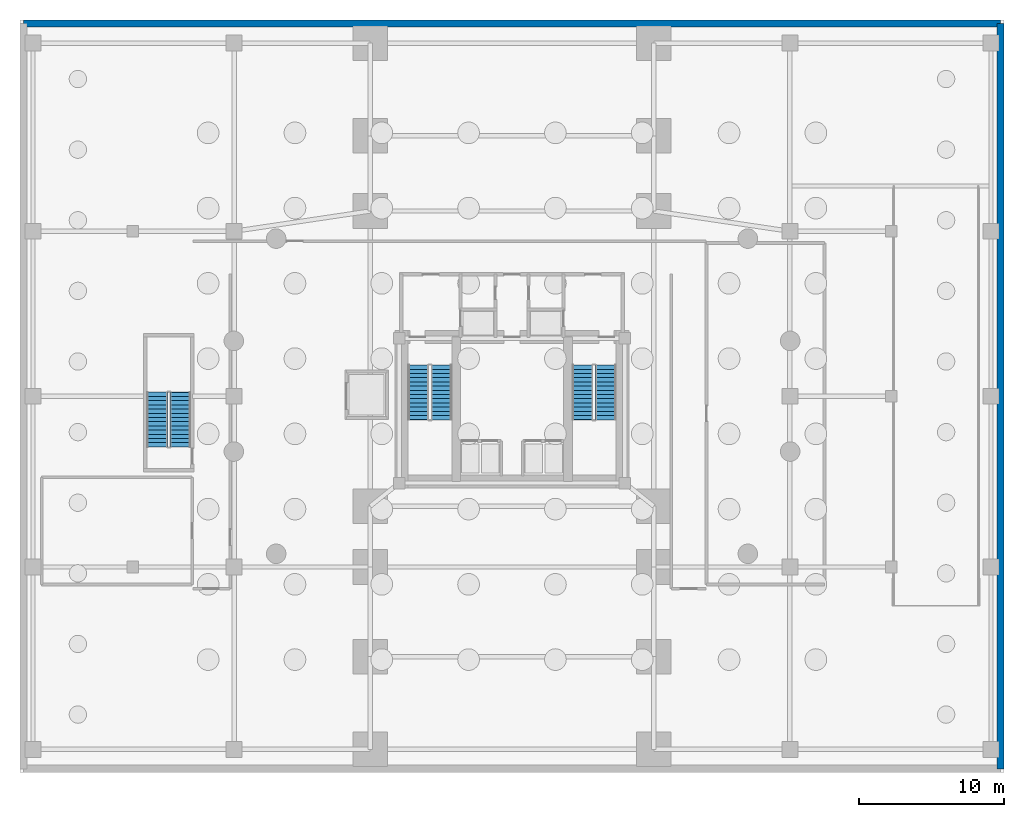
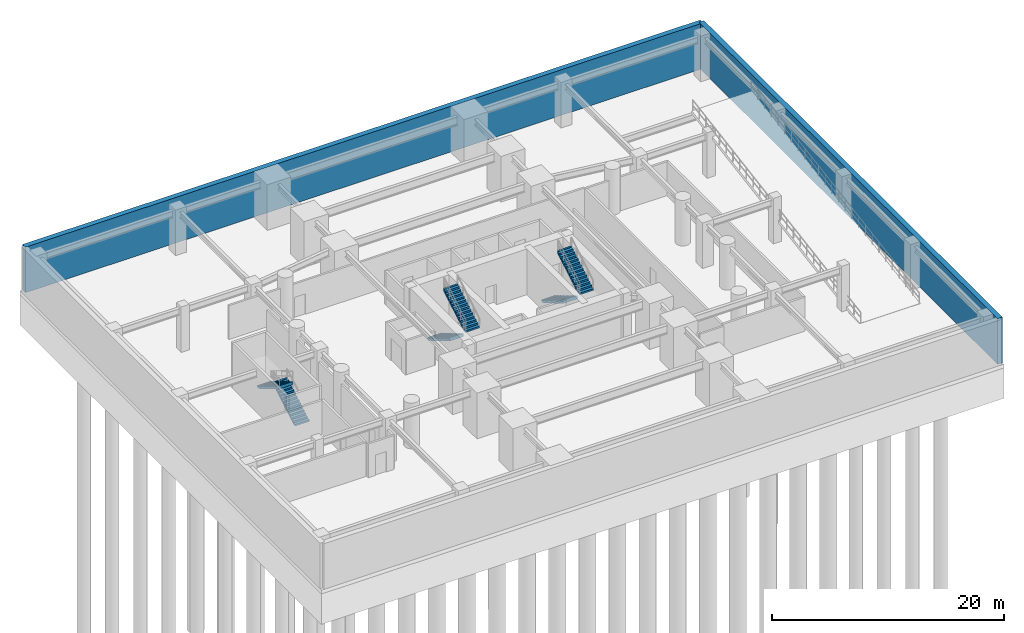
# One storey, part 5 of 8: 6 stair flights, 2 walls, 3 elements without a shape of their own.
"""IFC4 building model written with IfcOpenShell, lengths in metres."""

from ifc_helpers import new_model, si_unit, direction, frame, frame_2d, origin, place, context, subcontext, project, spatial, polyline, rectangle, outline, extrude, material, layer, layer_set, type_object, element, aggregate, save


model = new_model("IFC4")

# Units and contexts
model_context = context("Model", 3, precision=1e-05, world=origin(), true_north=direction((0.0, 1.0)))
body_context = subcontext(model_context, "Body", "Model", "MODEL_VIEW")
ifc_project = project(units=[si_unit("LENGTHUNIT", "METRE"), si_unit("AREAUNIT", "SQUARE_METRE"), si_unit("VOLUMEUNIT", "CUBIC_METRE"), si_unit("PLANEANGLEUNIT", "RADIAN"), si_unit("MASSUNIT", "GRAM", prefix="KILO"), si_unit("THERMODYNAMICTEMPERATUREUNIT", "KELVIN"), si_unit("POWERUNIT", "WATT")], contexts=[model_context])

# Site, building, storey
site_placement = place(None, origin())
site = spatial("IfcSite", under=ifc_project, at=site_placement, CompositionType="ELEMENT")
building_placement = place(site_placement, origin())
building = spatial("IfcBuilding", under=site, at=building_placement, Name="Ocrelia Relay Tower", CompositionType="ELEMENT")
storey_placement = place(building_placement, frame((0.0, 0.0, -9.60009765625)))
storey = spatial("IfcBuildingStorey", under=building, at=storey_placement, Name="B2", CompositionType="ELEMENT", Elevation=-9.60009765625)

# Walls
ifc_material = material(Name="Concrete C50/60", Category="concrete")
ifc_layer = layer(ifc_material, 0.5, Name="Concrete C50/60")
ifc_layer_set = layer_set([ifc_layer], Name="Concrete C50/60")
wall_type = type_object("IfcWallType", Name="W-RET-500", PredefinedType="SOLIDWALL", material=ifc_layer_set)
wall_1_placement = place(storey_placement, frame((67.75, 0.25, 0.0), z_axis=(0.0, 0.0, 1.0), x_axis=(0.0, 1.0, 0.0)))
element("IfcWall", 1, at=wall_1_placement, inside=storey, type_object=wall_type, Name="B2 Perimeter Retaining Wall E", PredefinedType="SOLIDWALL", context=body_context, shape_type="SweptSolid", body=[
    extrude(rectangle(XDim=51.5, YDim=0.5, at=frame_2d((25.75, 0.0))), origin(), (0.0, 0.0, 1.0), 4.800048828125),
])
wall_2_placement = place(storey_placement, frame((67.75, 51.75, 0.0), z_axis=(0.0, 0.0, 1.0), x_axis=(-1.0, 0.0, 0.0)))
element("IfcWall", 2, at=wall_2_placement, inside=storey, type_object=wall_type, Name="B2 Perimeter Retaining Wall N", PredefinedType="SOLIDWALL", context=body_context, shape_type="SweptSolid", body=[
    extrude(rectangle(XDim=67.5, YDim=0.5, at=frame_2d((33.75, 0.0))), origin(), (0.0, 0.0, 1.0), 4.800048828125),
])

# Stair, stair flights
stair_type = type_object("IfcStairType", Name="ST-DL-1420-R171", PredefinedType="HALF_TURN_STAIR", material=ifc_material)
stair_1_placement = place(storey_placement, origin())
stair_1 = element("IfcStair", 3, at=stair_1_placement, inside=storey, type_object=stair_type, Name="B2 West Core Exit Stair ST1", PredefinedType="HALF_TURN_STAIR")
stair_flight_type = type_object("IfcStairFlightType", Name="STF-DL-1420-R171", PredefinedType="STRAIGHT", material=ifc_material)
stair_flight_1_placement = place(storey_placement, frame((27.52001953125, 28.14990234375, 0.0), z_axis=(0.0, 0.0, 1.0), x_axis=(0.0, -1.0, 0.0)))
stair_flight_1 = element("IfcStairFlight", 4, at=stair_flight_1_placement, type_object=stair_flight_type, Name="ST1 flight 1", NumberOfRisers=14, NumberOfTreads=13, PredefinedType="STRAIGHT", RiserHeight=0.171428571, TreadLength=0.29, context=body_context, shape_type="SweptSolid", body=[
    extrude(outline(polyline([(-0.008056640625, 0.0), (-0.008056640625, 0.17138671875), (0.0, 0.17138671875), (0.2900390625, 0.17138671875), (0.2900390625, 0.3427734375), (0.580078125, 0.3427734375), (0.580078125, 0.514404296875), (0.8701171875, 0.514404296875), (0.8701171875, 0.685791015625), (1.159912109375, 0.685791015625), (1.159912109375, 0.857177734375), (1.449951171875, 0.857177734375), (1.449951171875, 1.028564453125), (1.739990234375, 1.028564453125), (1.739990234375, 1.199951171875), (2.030029296875, 1.199951171875), (2.030029296875, 1.371337890625), (2.320068359375, 1.371337890625), (2.320068359375, 1.54296875), (2.610107421875, 1.54296875), (2.610107421875, 1.71435546875), (2.89990234375, 1.71435546875), (2.89990234375, 1.8857421875), (3.18994140625, 1.8857421875), (3.18994140625, 2.05712890625), (3.47998046875, 2.05712890625), (3.47998046875, 2.228515625), (3.77001953125, 2.228515625), (3.77001953125, 2.39990234375), (3.778076171875, 2.39990234375), (3.778076171875, 2.054443359375), (0.294677734375, 0.0), (-0.008056640625, 0.0)])), frame((0.0, 0.7099609375, 0.0), z_axis=(0.0, -1.0, 0.0), x_axis=(1.0, 0.0, 0.0)), (0.0, 0.0, 1.0), 1.419921875),
])
stair_flight_2_placement = place(storey_placement, frame((29.139892578125, 24.3798828125, 2.400146484375), z_axis=(0.0, 0.0, 1.0), x_axis=(0.0, 1.0, 0.0)))
stair_flight_2 = element("IfcStairFlight", 5, at=stair_flight_2_placement, type_object=stair_flight_type, Name="ST1 flight 2", NumberOfRisers=14, NumberOfTreads=13, PredefinedType="STRAIGHT", RiserHeight=0.171428571, TreadLength=0.29, context=body_context, shape_type="SweptSolid", body=[
    extrude(outline(polyline([(-0.008056640625, 0.0), (-0.008056640625, 0.17138671875), (0.0, 0.17138671875), (0.2900390625, 0.17138671875), (0.2900390625, 0.3427734375), (0.580078125, 0.3427734375), (0.580078125, 0.514404296875), (0.8701171875, 0.514404296875), (0.8701171875, 0.685791015625), (1.159912109375, 0.685791015625), (1.159912109375, 0.857177734375), (1.449951171875, 0.857177734375), (1.449951171875, 1.028564453125), (1.739990234375, 1.028564453125), (1.739990234375, 1.199951171875), (2.030029296875, 1.199951171875), (2.030029296875, 1.371337890625), (2.320068359375, 1.371337890625), (2.320068359375, 1.54296875), (2.610107421875, 1.54296875), (2.610107421875, 1.71435546875), (2.89990234375, 1.71435546875), (2.89990234375, 1.8857421875), (3.18994140625, 1.8857421875), (3.18994140625, 2.05712890625), (3.47998046875, 2.05712890625), (3.47998046875, 2.228515625), (3.77001953125, 2.228515625), (3.77001953125, 2.39990234375), (3.778076171875, 2.39990234375), (3.778076171875, 2.054443359375), (0.294677734375, 0.0), (-0.008056640625, 0.0)])), frame((0.0, 0.7099609375, 0.0), z_axis=(0.0, -1.0, 0.0), x_axis=(1.0, 0.0, 0.0)), (0.0, 0.0, 1.0), 1.419921875),
])
aggregate(stair_1, [stair_flight_1, stair_flight_2])

stair_2_placement = place(storey_placement, origin())
stair_2 = element("IfcStair", 6, at=stair_2_placement, inside=storey, type_object=stair_type, Name="B2 East Core Exit Stair ST2", PredefinedType="HALF_TURN_STAIR")
stair_flight_3_placement = place(storey_placement, frame((38.8701171875, 28.14990234375, 0.0), z_axis=(0.0, 0.0, 1.0), x_axis=(0.0, -1.0, 0.0)))
stair_flight_3 = element("IfcStairFlight", 7, at=stair_flight_3_placement, type_object=stair_flight_type, Name="ST2 flight 1", NumberOfRisers=14, NumberOfTreads=13, PredefinedType="STRAIGHT", RiserHeight=0.171428571, TreadLength=0.29, context=body_context, shape_type="SweptSolid", body=[
    extrude(outline(polyline([(-0.008056640625, 0.0), (-0.008056640625, 0.17138671875), (0.0, 0.17138671875), (0.2900390625, 0.17138671875), (0.2900390625, 0.3427734375), (0.580078125, 0.3427734375), (0.580078125, 0.514404296875), (0.8701171875, 0.514404296875), (0.8701171875, 0.685791015625), (1.159912109375, 0.685791015625), (1.159912109375, 0.857177734375), (1.449951171875, 0.857177734375), (1.449951171875, 1.028564453125), (1.739990234375, 1.028564453125), (1.739990234375, 1.199951171875), (2.030029296875, 1.199951171875), (2.030029296875, 1.371337890625), (2.320068359375, 1.371337890625), (2.320068359375, 1.54296875), (2.610107421875, 1.54296875), (2.610107421875, 1.71435546875), (2.89990234375, 1.71435546875), (2.89990234375, 1.8857421875), (3.18994140625, 1.8857421875), (3.18994140625, 2.05712890625), (3.47998046875, 2.05712890625), (3.47998046875, 2.228515625), (3.77001953125, 2.228515625), (3.77001953125, 2.39990234375), (3.778076171875, 2.39990234375), (3.778076171875, 2.054443359375), (0.294677734375, 0.0), (-0.008056640625, 0.0)])), frame((0.0, 0.7099609375, 0.0), z_axis=(0.0, -1.0, 0.0), x_axis=(1.0, 0.0, 0.0)), (0.0, 0.0, 1.0), 1.419921875),
])
stair_flight_4_placement = place(storey_placement, frame((40.489990234375, 24.3798828125, 2.400146484375), z_axis=(0.0, 0.0, 1.0), x_axis=(0.0, 1.0, 0.0)))
stair_flight_4 = element("IfcStairFlight", 8, at=stair_flight_4_placement, type_object=stair_flight_type, Name="ST2 flight 2", NumberOfRisers=14, NumberOfTreads=13, PredefinedType="STRAIGHT", RiserHeight=0.171428571, TreadLength=0.29, context=body_context, shape_type="SweptSolid", body=[
    extrude(outline(polyline([(-0.008056640625, 0.0), (-0.008056640625, 0.17138671875), (0.0, 0.17138671875), (0.2900390625, 0.17138671875), (0.2900390625, 0.3427734375), (0.580078125, 0.3427734375), (0.580078125, 0.514404296875), (0.8701171875, 0.514404296875), (0.8701171875, 0.685791015625), (1.159912109375, 0.685791015625), (1.159912109375, 0.857177734375), (1.449951171875, 0.857177734375), (1.449951171875, 1.028564453125), (1.739990234375, 1.028564453125), (1.739990234375, 1.199951171875), (2.030029296875, 1.199951171875), (2.030029296875, 1.371337890625), (2.320068359375, 1.371337890625), (2.320068359375, 1.54296875), (2.610107421875, 1.54296875), (2.610107421875, 1.71435546875), (2.89990234375, 1.71435546875), (2.89990234375, 1.8857421875), (3.18994140625, 1.8857421875), (3.18994140625, 2.05712890625), (3.47998046875, 2.05712890625), (3.47998046875, 2.228515625), (3.77001953125, 2.228515625), (3.77001953125, 2.39990234375), (3.778076171875, 2.39990234375), (3.778076171875, 2.054443359375), (0.294677734375, 0.0), (-0.008056640625, 0.0)])), frame((0.0, 0.7099609375, 0.0), z_axis=(0.0, -1.0, 0.0), x_axis=(1.0, 0.0, 0.0)), (0.0, 0.0, 1.0), 1.419921875),
])
aggregate(stair_2, [stair_flight_3, stair_flight_4])

stair_3_placement = place(storey_placement, origin())
stair_3 = element("IfcStair", 9, at=stair_3_placement, inside=storey, type_object=stair_type, Name="B2 Podium West Exit Stair ST3", PredefinedType="HALF_TURN_STAIR")
stair_flight_5_placement = place(storey_placement, frame((11.090087890625, 22.5, 0.0), z_axis=(0.0, 0.0, 1.0), x_axis=(0.0, 1.0, 0.0)))
stair_flight_5 = element("IfcStairFlight", 10, at=stair_flight_5_placement, type_object=stair_flight_type, Name="ST3 flight 1", NumberOfRisers=14, NumberOfTreads=13, PredefinedType="STRAIGHT", RiserHeight=0.171428571, TreadLength=0.29, context=body_context, shape_type="SweptSolid", body=[
    extrude(outline(polyline([(-0.008056640625, 0.0), (-0.008056640625, 0.17138671875), (0.0, 0.17138671875), (0.2900390625, 0.17138671875), (0.2900390625, 0.3427734375), (0.580078125, 0.3427734375), (0.580078125, 0.514404296875), (0.8701171875, 0.514404296875), (0.8701171875, 0.685791015625), (1.159912109375, 0.685791015625), (1.159912109375, 0.857177734375), (1.449951171875, 0.857177734375), (1.449951171875, 1.028564453125), (1.739990234375, 1.028564453125), (1.739990234375, 1.199951171875), (2.030029296875, 1.199951171875), (2.030029296875, 1.371337890625), (2.320068359375, 1.371337890625), (2.320068359375, 1.54296875), (2.610107421875, 1.54296875), (2.610107421875, 1.71435546875), (2.89990234375, 1.71435546875), (2.89990234375, 1.8857421875), (3.18994140625, 1.8857421875), (3.18994140625, 2.05712890625), (3.47998046875, 2.05712890625), (3.47998046875, 2.228515625), (3.77001953125, 2.228515625), (3.77001953125, 2.39990234375), (3.778076171875, 2.39990234375), (3.778076171875, 2.054443359375), (0.294677734375, 0.0), (-0.008056640625, 0.0)])), frame((0.0, 0.7099609375, 0.0), z_axis=(0.0, -1.0, 0.0), x_axis=(1.0, 0.0, 0.0)), (0.0, 0.0, 1.0), 1.419921875),
])
stair_flight_6_placement = place(storey_placement, frame((9.469970703125, 26.27001953125, 2.400146484375), z_axis=(0.0, 0.0, 1.0), x_axis=(0.0, -1.0, 0.0)))
stair_flight_6 = element("IfcStairFlight", 11, at=stair_flight_6_placement, type_object=stair_flight_type, Name="ST3 flight 2", NumberOfRisers=14, NumberOfTreads=13, PredefinedType="STRAIGHT", RiserHeight=0.171428571, TreadLength=0.29, context=body_context, shape_type="SweptSolid", body=[
    extrude(outline(polyline([(-0.008056640625, 0.0), (-0.008056640625, 0.17138671875), (0.0, 0.17138671875), (0.2900390625, 0.17138671875), (0.2900390625, 0.3427734375), (0.580078125, 0.3427734375), (0.580078125, 0.514404296875), (0.8701171875, 0.514404296875), (0.8701171875, 0.685791015625), (1.159912109375, 0.685791015625), (1.159912109375, 0.857177734375), (1.449951171875, 0.857177734375), (1.449951171875, 1.028564453125), (1.739990234375, 1.028564453125), (1.739990234375, 1.199951171875), (2.030029296875, 1.199951171875), (2.030029296875, 1.371337890625), (2.320068359375, 1.371337890625), (2.320068359375, 1.54296875), (2.610107421875, 1.54296875), (2.610107421875, 1.71435546875), (2.89990234375, 1.71435546875), (2.89990234375, 1.8857421875), (3.18994140625, 1.8857421875), (3.18994140625, 2.05712890625), (3.47998046875, 2.05712890625), (3.47998046875, 2.228515625), (3.77001953125, 2.228515625), (3.77001953125, 2.39990234375), (3.778076171875, 2.39990234375), (3.778076171875, 2.054443359375), (0.294677734375, 0.0), (-0.008056640625, 0.0)])), frame((0.0, 0.7099609375, 0.0), z_axis=(0.0, -1.0, 0.0), x_axis=(1.0, 0.0, 0.0)), (0.0, 0.0, 1.0), 1.419921875),
])
aggregate(stair_3, [stair_flight_5, stair_flight_6])

save(model, "model.ifc")
